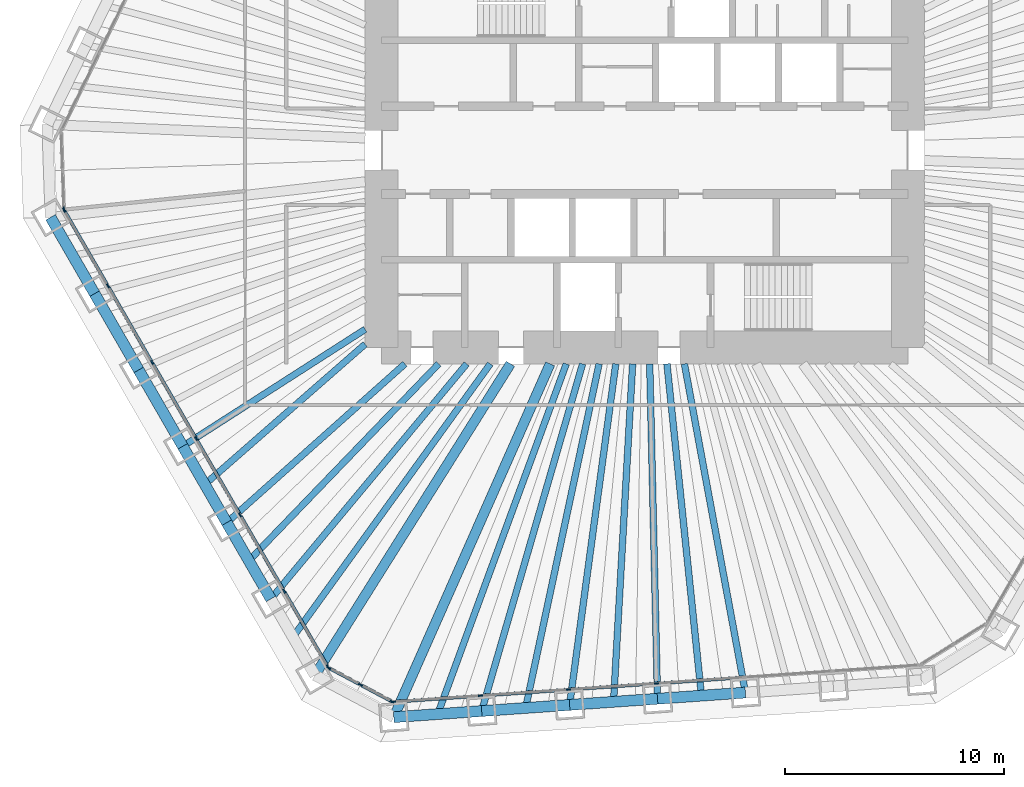
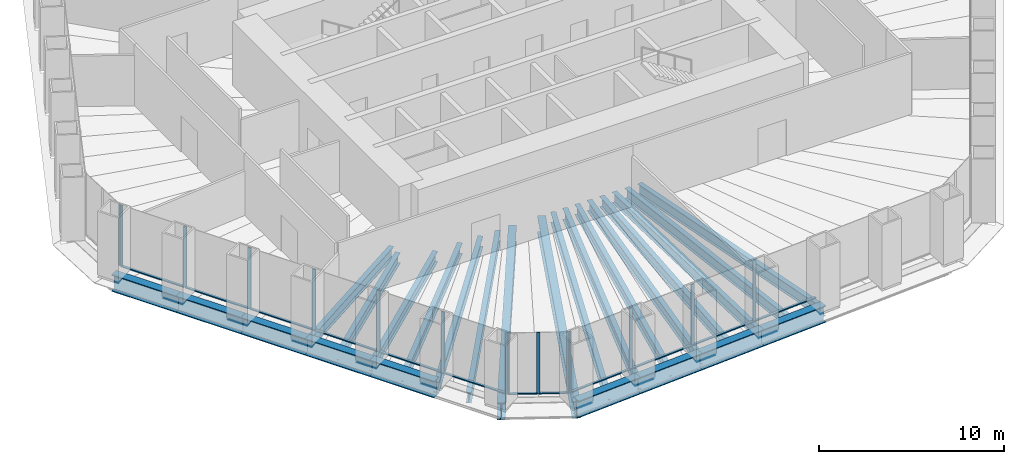
# One storey, part 2 of 13: 27 members, 25 beams, 4 elements without a shape of their own.
"""IFC4 building model written with IfcOpenShell, lengths in metres."""

from ifc_helpers import new_model, si_unit, direction, frame, origin, origin_2d, place, context, subcontext, project, spatial, rectangle, i_section, extrude, material, material_profile, profile_set, type_object, element, aggregate, save


model = new_model("IFC4")

# Units and contexts
model_context = context("Model", 3, precision=1e-05, world=origin(), true_north=direction((0.0, 1.0)))
body_context = subcontext(model_context, "Body", "Model", "MODEL_VIEW")
ifc_project = project(units=[si_unit("LENGTHUNIT", "METRE"), si_unit("AREAUNIT", "SQUARE_METRE"), si_unit("VOLUMEUNIT", "CUBIC_METRE"), si_unit("PLANEANGLEUNIT", "RADIAN"), si_unit("MASSUNIT", "GRAM", prefix="KILO")], contexts=[model_context])

# Site, building, storey
site_placement = place(None, origin())
site = spatial("IfcSite", under=ifc_project, at=site_placement, CompositionType="ELEMENT")
building_placement = place(site_placement, origin())
building = spatial("IfcBuilding", under=site, at=building_placement, Name="Qingtian Harvest Tower", CompositionType="ELEMENT")
storey_placement = place(building_placement, frame((0.0, 0.0, 140.800048828125)))
storey = spatial("IfcBuildingStorey", under=building, at=storey_placement, Name="L29", CompositionType="ELEMENT", Elevation=140.800048828125)

# Beams
ifc_material_1 = material(Name="Steel SM570MC", Category="steel")
ifc_material_profile_1 = material_profile(ifc_material_1, i_section(OverallWidth=0.449951171875, OverallDepth=1.10009765625, WebThickness=0.02197265625, FlangeThickness=0.044921875, at=origin_2d()), Name="H1100x450x22x45")
ifc_profile_set_1 = profile_set([ifc_material_profile_1], Name="Steel SM570MC")
beam_type_1 = type_object("IfcBeamType", Name="Corner floor beam FB8 H1100x450x22x45", PredefinedType="BEAM", material=ifc_profile_set_1)
beam_1_placement = place(storey_placement, frame((-11.445556640625, -25.861328125, -0.719970703125), z_axis=(0.404705702755, 0.914446988161, 0.0), x_axis=(-0.914446988161, 0.404705702755, 0.0)))
element("IfcBeam", 1, at=beam_1_placement, inside=storey, type_object=beam_type_1, Name="Floor beam FB8 S6", PredefinedType="BEAM", context=body_context, shape_type="SweptSolid", body=[
    extrude(i_section(OverallWidth=0.449951171875, OverallDepth=1.10009765625, WebThickness=0.02197265625, FlangeThickness=0.044921875, at=origin_2d()), origin(), (0.0, 0.0, 1.0), 17.61865234375),
])
beam_2_placement = place(storey_placement, frame((-15.039794921875, -23.950439453125, -0.719970703125), z_axis=(0.531797274443, 0.846871689747, 0.0), x_axis=(-0.846871689747, 0.531797274443, 0.0)))
element("IfcBeam", 2, at=beam_2_placement, inside=storey, type_object=beam_type_1, Name="Floor beam FB8 SW0", PredefinedType="BEAM", context=body_context, shape_type="SweptSolid", body=[
    extrude(i_section(OverallWidth=0.449951171875, OverallDepth=1.10009765625, WebThickness=0.02197265625, FlangeThickness=0.044921875, at=origin_2d()), origin(), (0.0, 0.0, 1.0), 16.76806640625),
])
ifc_material_2 = material(Name="Steel SN490B", Category="steel")
ifc_material_profile_2 = material_profile(ifc_material_2, i_section(OverallWidth=0.300048828125, OverallDepth=0.75, WebThickness=0.013916015625, FlangeThickness=0.02490234375, at=origin_2d()), Name="H750x300x14x25")
ifc_profile_set_2 = profile_set([ifc_material_profile_2], Name="Steel SN490B")
beam_type_2 = type_object("IfcBeamType", Name="Floor beam FB12 H750x300x14x25", PredefinedType="BEAM", material=ifc_profile_set_2)
beam_3_placement = place(storey_placement, frame((-7.436279296875, -25.5810546875, -0.545166015625), z_axis=(0.279142362954, 0.960249728562, 0.0), x_axis=(-0.960249728562, 0.279142362954, 0.0)))
element("IfcBeam", 3, at=beam_3_placement, inside=storey, type_object=beam_type_2, Name="Floor beam FB12 S5", PredefinedType="BEAM", context=body_context, shape_type="SweptSolid", body=[
    extrude(i_section(OverallWidth=0.300048828125, OverallDepth=0.75, WebThickness=0.013916015625, FlangeThickness=0.02490234375, at=origin_2d()), origin(), (0.0, 0.0, 1.0), 16.486328125),
])
ifc_material_3 = material(Name="Steel SN490B", Category="steel")
ifc_material_profile_3 = material_profile(ifc_material_3, i_section(OverallWidth=0.300048828125, OverallDepth=0.699951171875, WebThickness=0.012939453125, FlangeThickness=0.02392578125, at=origin_2d()), Name="H700x300x13x24")
ifc_profile_set_3 = profile_set([ifc_material_profile_3], Name="Steel SN490B")
beam_type_3 = type_object("IfcBeamType", Name="Floor beam FB2 H700x300x13x24", PredefinedType="BEAM", material=ifc_profile_set_3)
beam_4_placement = place(storey_placement, frame((4.591552734375, -24.739990234375, -0.52001953125), z_axis=(-0.182473442032, 0.983210782565, 0.0), x_axis=(-0.983210782565, -0.182473442032, 0.0)))
element("IfcBeam", 4, at=beam_4_placement, inside=storey, type_object=beam_type_3, Name="Floor beam FB2 S2", PredefinedType="BEAM", context=body_context, shape_type="SweptSolid", body=[
    extrude(i_section(OverallWidth=0.300048828125, OverallDepth=0.699951171875, WebThickness=0.012939453125, FlangeThickness=0.02392578125, at=origin_2d()), origin(), (0.0, 0.0, 1.0), 15.245849609375),
])
beam_5_placement = place(storey_placement, frame((0.582275390625, -25.020263671875, -0.52001953125), z_axis=(-0.023272189962, 0.999729165912, 0.0), x_axis=(-0.999729165912, -0.023272189962, 0.0)))
element("IfcBeam", 5, at=beam_5_placement, inside=storey, type_object=beam_type_3, Name="Floor beam FB2 S3", PredefinedType="BEAM", context=body_context, shape_type="SweptSolid", body=[
    extrude(i_section(OverallWidth=0.300048828125, OverallDepth=0.699951171875, WebThickness=0.012939453125, FlangeThickness=0.02392578125, at=origin_2d()), origin(), (0.0, 0.0, 1.0), 15.2744140625),
])
beam_6_placement = place(storey_placement, frame((-3.427001953125, -25.30078125, -0.52001953125), z_axis=(0.134230066005, 0.990950195207, 0.0), x_axis=(-0.990950195207, 0.134230066005, 0.0)))
element("IfcBeam", 6, at=beam_6_placement, inside=storey, type_object=beam_type_3, Name="Floor beam FB2 S4", PredefinedType="BEAM", context=body_context, shape_type="SweptSolid", body=[
    extrude(i_section(OverallWidth=0.300048828125, OverallDepth=0.699951171875, WebThickness=0.012939453125, FlangeThickness=0.02392578125, at=origin_2d()), origin(), (0.0, 0.0, 1.0), 15.69287109375),
])
beam_7_placement = place(storey_placement, frame((-17.04931640625, -20.4697265625, -0.52001953125), z_axis=(0.639988150605, 0.768384778015, 0.0), x_axis=(-0.768384778015, 0.639988150605, 0.0)))
element("IfcBeam", 7, at=beam_7_placement, inside=storey, type_object=beam_type_3, Name="Floor beam FB2 SW1", PredefinedType="BEAM", context=body_context, shape_type="SweptSolid", body=[
    extrude(i_section(OverallWidth=0.300048828125, OverallDepth=0.699951171875, WebThickness=0.012939453125, FlangeThickness=0.02392578125, at=origin_2d()), origin(), (0.0, 0.0, 1.0), 13.950927734375),
])
beam_8_placement = place(storey_placement, frame((-19.058837890625, -16.989013671875, -0.52001953125), z_axis=(0.746483707908, 0.665403692376, 0.0), x_axis=(-0.665403692376, 0.746483707908, 0.0)))
element("IfcBeam", 8, at=beam_8_placement, inside=storey, type_object=beam_type_3, Name="Floor beam FB2 SW2", PredefinedType="BEAM", context=body_context, shape_type="SweptSolid", body=[
    extrude(i_section(OverallWidth=0.300048828125, OverallDepth=0.699951171875, WebThickness=0.012939453125, FlangeThickness=0.02392578125, at=origin_2d()), origin(), (0.0, 0.0, 1.0), 10.879150390625),
])
beam_9_placement = place(storey_placement, frame((-21.068359375, -13.508544921875, -0.52001953125), z_axis=(0.841823295753, 0.539753220211, 0.0), x_axis=(-0.539753220211, 0.841823295753, 0.0)))
element("IfcBeam", 9, at=beam_9_placement, inside=storey, type_object=beam_type_3, Name="Floor beam FB2 SW3", PredefinedType="BEAM", context=body_context, shape_type="SweptSolid", body=[
    extrude(i_section(OverallWidth=0.300048828125, OverallDepth=0.699951171875, WebThickness=0.012939453125, FlangeThickness=0.02392578125, at=origin_2d()), origin(), (0.0, 0.0, 1.0), 9.88134765625),
])
ifc_material_4 = material(Name="Steel SN490B", Category="steel")
ifc_material_profile_4 = material_profile(ifc_material_4, i_section(OverallWidth=0.300048828125, OverallDepth=0.699951171875, WebThickness=0.012939453125, FlangeThickness=0.02392578125, at=origin_2d()), Name="H700x300x13x24")
ifc_profile_set_4 = profile_set([ifc_material_profile_4], Name="Steel SN490B")
beam_type_4 = type_object("IfcBeamType", Name="Floor joist J2 H700x300x13x24", PredefinedType="JOIST", material=ifc_profile_set_4)
beam_10_placement = place(storey_placement, frame((2.5869140625, -24.880126953125, -0.52001953125), z_axis=(-0.103423163361, 0.994637446148, 0.0), x_axis=(-0.994637446148, -0.103423163361, 0.0)))
element("IfcBeam", 10, at=beam_10_placement, inside=storey, type_object=beam_type_4, Name="Floor joist J2 S2", PredefinedType="JOIST", context=body_context, shape_type="SweptSolid", body=[
    extrude(i_section(OverallWidth=0.300048828125, OverallDepth=0.699951171875, WebThickness=0.012939453125, FlangeThickness=0.02392578125, at=origin_2d()), origin(), (0.0, 0.0, 1.0), 15.211669921875),
])
beam_11_placement = place(storey_placement, frame((-1.42236328125, -25.160400390625, -0.52001953125), z_axis=(0.05643626267, 0.998406204035, 0.0), x_axis=(-0.998406204035, 0.05643626267, 0.0)))
element("IfcBeam", 11, at=beam_11_placement, inside=storey, type_object=beam_type_4, Name="Floor joist J2 S3", PredefinedType="JOIST", context=body_context, shape_type="SweptSolid", body=[
    extrude(i_section(OverallWidth=0.300048828125, OverallDepth=0.699951171875, WebThickness=0.012939453125, FlangeThickness=0.02392578125, at=origin_2d()), origin(), (0.0, 0.0, 1.0), 15.43505859375),
])
beam_12_placement = place(storey_placement, frame((-5.431640625, -25.44091796875, -0.52001953125), z_axis=(0.208799533611, 0.977958462699, 0.0), x_axis=(-0.977958462699, 0.208799533611, 0.0)))
element("IfcBeam", 12, at=beam_12_placement, inside=storey, type_object=beam_type_4, Name="Floor joist J2 S4", PredefinedType="JOIST", context=body_context, shape_type="SweptSolid", body=[
    extrude(i_section(OverallWidth=0.300048828125, OverallDepth=0.699951171875, WebThickness=0.012939453125, FlangeThickness=0.02392578125, at=origin_2d()), origin(), (0.0, 0.0, 1.0), 16.044677734375),
])
beam_13_placement = place(storey_placement, frame((-9.44091796875, -25.72119140625, -0.52001953125), z_axis=(0.344563279886, 0.938763093732, 0.0), x_axis=(-0.938763093732, 0.344563279886, 0.0)))
element("IfcBeam", 13, at=beam_13_placement, inside=storey, type_object=beam_type_4, Name="Floor joist J2 S5", PredefinedType="JOIST", context=body_context, shape_type="SweptSolid", body=[
    extrude(i_section(OverallWidth=0.300048828125, OverallDepth=0.699951171875, WebThickness=0.012939453125, FlangeThickness=0.02392578125, at=origin_2d()), origin(), (0.0, 0.0, 1.0), 17.012939453125),
])
beam_14_placement = place(storey_placement, frame((-16.04443359375, -22.2099609375, -0.52001953125), z_axis=(0.585581016658, 0.810613886465, 0.0), x_axis=(-0.810613886465, 0.585581016658, 0.0)))
element("IfcBeam", 14, at=beam_14_placement, inside=storey, type_object=beam_type_4, Name="Floor joist J2 SW0", PredefinedType="JOIST", context=body_context, shape_type="SweptSolid", body=[
    extrude(i_section(OverallWidth=0.300048828125, OverallDepth=0.699951171875, WebThickness=0.012939453125, FlangeThickness=0.02392578125, at=origin_2d()), origin(), (0.0, 0.0, 1.0), 15.37109375),
])
beam_15_placement = place(storey_placement, frame((-18.053955078125, -18.7294921875, -0.52001953125), z_axis=(0.693999346894, 0.719975629108, 0.0), x_axis=(-0.719975629108, 0.693999346894, 0.0)))
element("IfcBeam", 15, at=beam_15_placement, inside=storey, type_object=beam_type_4, Name="Floor joist J2 SW1", PredefinedType="JOIST", context=body_context, shape_type="SweptSolid", body=[
    extrude(i_section(OverallWidth=0.300048828125, OverallDepth=0.699951171875, WebThickness=0.012939453125, FlangeThickness=0.02392578125, at=origin_2d()), origin(), (0.0, 0.0, 1.0), 12.471923828125),
])
beam_16_placement = place(storey_placement, frame((-20.063720703125, -15.248779296875, -0.52001953125), z_axis=(0.752618713562, 0.658456583228, 0.0), x_axis=(-0.658456583228, 0.752618713562, 0.0)))
element("IfcBeam", 16, at=beam_16_placement, inside=storey, type_object=beam_type_4, Name="Floor joist J2 SW2", PredefinedType="JOIST", context=body_context, shape_type="SweptSolid", body=[
    extrude(i_section(OverallWidth=0.300048828125, OverallDepth=0.699951171875, WebThickness=0.012939453125, FlangeThickness=0.02392578125, at=origin_2d()), origin(), (0.0, 0.0, 1.0), 9.7177734375),
])

# Curtain wall, members
ifc_material_5 = material(Name="Bronze-anodised aluminium curtain wall", Category="aluminium")
curtain_wall_type = type_object("IfcCurtainWallType", Name="Curtain wall CW4 office", PredefinedType="USERDEFINED", material=ifc_material_5)
curtain_wall_1_placement = place(storey_placement, origin())
curtain_wall_1 = element("IfcCurtainWall", 17, at=curtain_wall_1_placement, inside=storey, type_object=curtain_wall_type, Name="Curtain wall CW4 L29 S0-5", ObjectType="RECESSED CURTAIN WALL", PredefinedType="USERDEFINED")
ifc_material_6 = material(Name="Bronze-anodised aluminium mullion", Category="aluminium")
ifc_material_profile_5 = material_profile(ifc_material_6, rectangle(XDim=0.06494140625, YDim=0.199951171875, at=origin_2d()), Name="AL 65x200")
ifc_profile_set_5 = profile_set([ifc_material_profile_5], Name="Bronze-anodised aluminium mullion")
member_type_1 = type_object("IfcMemberType", Name="Mullion CWM 65x200", PredefinedType="MULLION", material=ifc_profile_set_5)
member_1_placement = place(storey_placement, frame((0.533447265625, -24.322021484375, 0.0), z_axis=(0.0, 0.0, 1.0), x_axis=(0.069756473744, -0.99756405026, 0.0)))
member_1 = element("IfcMember", 18, at=member_1_placement, type_object=member_type_1, Name="CW4 mullion 4", PredefinedType="MULLION", context=body_context, shape_type="SweptSolid", body=[
    extrude(rectangle(XDim=0.06494140625, YDim=0.199951171875, at=origin_2d()), origin(), (0.0, 0.0, 1.0), 4.030029296875),
])
member_2_placement = place(storey_placement, frame((-3.475830078125, -24.602294921875, 0.0), z_axis=(0.0, 0.0, 1.0), x_axis=(0.069756473744, -0.99756405026, 0.0)))
member_2 = element("IfcMember", 19, at=member_2_placement, type_object=member_type_1, Name="CW4 mullion 5", PredefinedType="MULLION", context=body_context, shape_type="SweptSolid", body=[
    extrude(rectangle(XDim=0.06494140625, YDim=0.199951171875, at=origin_2d()), origin(), (0.0, 0.0, 1.0), 4.030029296875),
])
member_3_placement = place(storey_placement, frame((-7.485107421875, -24.8828125, 0.0), z_axis=(0.0, 0.0, 1.0), x_axis=(0.069756473744, -0.99756405026, 0.0)))
member_3 = element("IfcMember", 20, at=member_3_placement, type_object=member_type_1, Name="CW4 mullion 6", PredefinedType="MULLION", context=body_context, shape_type="SweptSolid", body=[
    extrude(rectangle(XDim=0.06494140625, YDim=0.199951171875, at=origin_2d()), origin(), (0.0, 0.0, 1.0), 4.030029296875),
])
member_4_placement = place(storey_placement, frame((-11.4619140625, -25.160888671875, 0.0), z_axis=(0.0, 0.0, 1.0), x_axis=(0.069756473744, -0.99756405026, 0.0)))
member_4 = element("IfcMember", 21, at=member_4_placement, type_object=member_type_1, Name="CW4 mullion 7", PredefinedType="MULLION", context=body_context, shape_type="SweptSolid", body=[
    extrude(rectangle(XDim=0.06494140625, YDim=0.199951171875, at=origin_2d()), origin(), (0.0, 0.0, 1.0), 4.030029296875),
])

curtain_wall_2_placement = place(storey_placement, origin())
curtain_wall_2 = element("IfcCurtainWall", 22, at=curtain_wall_2_placement, inside=storey, type_object=curtain_wall_type, Name="Curtain wall CW4 L29 SC", ObjectType="RECESSED CURTAIN WALL", PredefinedType="USERDEFINED")
member_5_placement = place(storey_placement, frame((-11.523193359375, -25.14794921875, 0.0), z_axis=(0.0, 0.0, 1.0), x_axis=(-0.469471562786, -0.882947592859, 0.0)))
member_5 = element("IfcMember", 23, at=member_5_placement, type_object=member_type_1, Name="CW4 mullion 1", PredefinedType="MULLION", context=body_context, shape_type="SweptSolid", body=[
    extrude(rectangle(XDim=0.06494140625, YDim=0.199951171875, at=origin_2d()), origin(), (0.0, 0.0, 1.0), 4.030029296875),
])
member_6_placement = place(storey_placement, frame((-12.964111328125, -24.3818359375, 0.0), z_axis=(0.0, 0.0, 1.0), x_axis=(-0.469471562786, -0.882947592859, 0.0)))
member_6 = element("IfcMember", 24, at=member_6_placement, type_object=member_type_1, Name="CW4 mullion 2", PredefinedType="MULLION", context=body_context, shape_type="SweptSolid", body=[
    extrude(rectangle(XDim=0.06494140625, YDim=0.199951171875, at=origin_2d()), origin(), (0.0, 0.0, 1.0), 4.030029296875),
])
member_7_placement = place(storey_placement, frame((-14.40478515625, -23.61572265625, 0.0), z_axis=(0.0, 0.0, 1.0), x_axis=(-0.469471562786, -0.882947592859, 0.0)))
member_7 = element("IfcMember", 25, at=member_7_placement, type_object=member_type_1, Name="CW4 mullion 3", PredefinedType="MULLION", context=body_context, shape_type="SweptSolid", body=[
    extrude(rectangle(XDim=0.06494140625, YDim=0.199951171875, at=origin_2d()), origin(), (0.0, 0.0, 1.0), 4.030029296875),
])

curtain_wall_3_placement = place(storey_placement, origin())
curtain_wall_3 = element("IfcCurtainWall", 26, at=curtain_wall_3_placement, inside=storey, type_object=curtain_wall_type, Name="Curtain wall CW4 L29 SW0-5", ObjectType="RECESSED CURTAIN WALL", PredefinedType="USERDEFINED")
member_8_placement = place(storey_placement, frame((-14.44970703125, -23.572265625, 0.0), z_axis=(0.0, 0.0, 1.0), x_axis=(-0.866025403784, -0.5, 0.0)))
member_8 = element("IfcMember", 27, at=member_8_placement, type_object=member_type_1, Name="CW4 mullion 1", PredefinedType="MULLION", context=body_context, shape_type="SweptSolid", body=[
    extrude(rectangle(XDim=0.06494140625, YDim=0.199951171875, at=origin_2d()), origin(), (0.0, 0.0, 1.0), 4.030029296875),
])
member_9_placement = place(storey_placement, frame((-16.443115234375, -20.11962890625, 0.0), z_axis=(0.0, 0.0, 1.0), x_axis=(-0.866025403784, -0.5, 0.0)))
member_9 = element("IfcMember", 28, at=member_9_placement, type_object=member_type_1, Name="CW4 mullion 2", PredefinedType="MULLION", context=body_context, shape_type="SweptSolid", body=[
    extrude(rectangle(XDim=0.06494140625, YDim=0.199951171875, at=origin_2d()), origin(), (0.0, 0.0, 1.0), 4.030029296875),
])
member_10_placement = place(storey_placement, frame((-18.45263671875, -16.63916015625, 0.0), z_axis=(0.0, 0.0, 1.0), x_axis=(-0.866025403784, -0.5, 0.0)))
member_10 = element("IfcMember", 29, at=member_10_placement, type_object=member_type_1, Name="CW4 mullion 3", PredefinedType="MULLION", context=body_context, shape_type="SweptSolid", body=[
    extrude(rectangle(XDim=0.06494140625, YDim=0.199951171875, at=origin_2d()), origin(), (0.0, 0.0, 1.0), 4.030029296875),
])
member_11_placement = place(storey_placement, frame((-20.462158203125, -13.158447265625, 0.0), z_axis=(0.0, 0.0, 1.0), x_axis=(-0.866025403784, -0.5, 0.0)))
member_11 = element("IfcMember", 30, at=member_11_placement, type_object=member_type_1, Name="CW4 mullion 4", PredefinedType="MULLION", context=body_context, shape_type="SweptSolid", body=[
    extrude(rectangle(XDim=0.06494140625, YDim=0.199951171875, at=origin_2d()), origin(), (0.0, 0.0, 1.0), 4.030029296875),
])
member_12_placement = place(storey_placement, frame((-22.4716796875, -9.677978515625, 0.0), z_axis=(0.0, 0.0, 1.0), x_axis=(-0.866025403784, -0.5, 0.0)))
member_12 = element("IfcMember", 31, at=member_12_placement, type_object=member_type_1, Name="CW4 mullion 5", PredefinedType="MULLION", context=body_context, shape_type="SweptSolid", body=[
    extrude(rectangle(XDim=0.06494140625, YDim=0.199951171875, at=origin_2d()), origin(), (0.0, 0.0, 1.0), 4.030029296875),
])
member_13_placement = place(storey_placement, frame((-24.481201171875, -6.197265625, 0.0), z_axis=(0.0, 0.0, 1.0), x_axis=(-0.866025403784, -0.5, 0.0)))
member_13 = element("IfcMember", 32, at=member_13_placement, type_object=member_type_1, Name="CW4 mullion 6", PredefinedType="MULLION", context=body_context, shape_type="SweptSolid", body=[
    extrude(rectangle(XDim=0.06494140625, YDim=0.199951171875, at=origin_2d()), origin(), (0.0, 0.0, 1.0), 4.030029296875),
])
member_14_placement = place(storey_placement, frame((-26.474609375, -2.744873046875, 0.0), z_axis=(0.0, 0.0, 1.0), x_axis=(-0.866025403784, -0.5, 0.0)))
member_14 = element("IfcMember", 33, at=member_14_placement, type_object=member_type_1, Name="CW4 mullion 7", PredefinedType="MULLION", context=body_context, shape_type="SweptSolid", body=[
    extrude(rectangle(XDim=0.06494140625, YDim=0.199951171875, at=origin_2d()), origin(), (0.0, 0.0, 1.0), 4.030029296875),
])

# Curtain wall, member
curtain_wall_4_placement = place(storey_placement, origin())
curtain_wall_4 = element("IfcCurtainWall", 34, at=curtain_wall_4_placement, inside=storey, type_object=curtain_wall_type, Name="Curtain wall CW4 L29 SWC", ObjectType="RECESSED CURTAIN WALL", PredefinedType="USERDEFINED")
member_15_placement = place(storey_placement, frame((-26.491943359375, -2.68408203125, 0.0), z_axis=(0.0, 0.0, 1.0), x_axis=(-0.999390827019, -0.034899496703, 0.0)))
member_15 = element("IfcMember", 35, at=member_15_placement, type_object=member_type_1, Name="CW4 mullion 1", PredefinedType="MULLION", context=body_context, shape_type="SweptSolid", body=[
    extrude(rectangle(XDim=0.06494140625, YDim=0.199951171875, at=origin_2d()), origin(), (0.0, 0.0, 1.0), 4.030029296875),
])
aggregate(curtain_wall_4, [member_15])

# Beams
ifc_material_7 = material(Name="Steel SM570MC", Category="steel")
ifc_material_profile_6 = material_profile(ifc_material_7, i_section(OverallWidth=0.5, OverallDepth=1.10009765625, WebThickness=0.02490234375, FlangeThickness=0.050048828125, at=origin_2d()), Name="H1100x500x25x50")
ifc_profile_set_6 = profile_set([ifc_material_profile_6], Name="Steel SM570MC")
beam_type_5 = type_object("IfcBeamType", Name="Spandrel beam SB2 H1100x500x25x50", PredefinedType="SPANDREL", material=ifc_profile_set_6)
for number, where, z_axis, x_axis, name in (
    (36, (4.591552734375, -24.739990234375, -0.550048828125), (-0.997565479251, -0.069736035208, 0.0), (0.069736035208, -0.997565479251, 0.0), "Spandrel SB2 S2"),
    (37, (0.582275390625, -25.020263671875, -0.550048828125), (-0.997561251588, -0.069796485086, 0.0), (0.069796485086, -0.997561251588, 0.0), "Spandrel SB2 S3"),
    (38, (-3.427001953125, -25.30078125, -0.550048828125), (-0.997565479251, -0.069736035208, 0.0), (0.069736035208, -0.997565479251, 0.0), "Spandrel SB2 S4"),
    (39, (-7.436279296875, -25.5810546875, -0.550048828125), (-0.997565479251, -0.069736035208, 0.0), (0.069736035208, -0.997565479251, 0.0), "Spandrel SB2 S5"),
    (40, (-17.04931640625, -20.4697265625, -0.550048828125), (-0.499987116613, 0.866032841884, 0.0), (-0.866032841884, -0.499987116613, 0.0), "Spandrel SB2 SW1"),
    (41, (-19.058837890625, -16.989013671875, -0.550048828125), (-0.500013420409, 0.866017655369, 0.0), (-0.866017655369, -0.500013420409, 0.0), "Spandrel SB2 SW2"),
    (42, (-21.068359375, -13.508544921875, -0.550048828125), (-0.499987116613, 0.866032841884, 0.0), (-0.866032841884, -0.499987116613, 0.0), "Spandrel SB2 SW3"),
    (43, (-23.077880859375, -10.02783203125, -0.550048828125), (-0.499987116613, 0.866032841884, 0.0), (-0.866032841884, -0.499987116613, 0.0), "Spandrel SB2 SW4"),
    (44, (-25.08740234375, -6.547119140625, -0.550048828125), (-0.500013420409, 0.866017655369, 0.0), (-0.866017655369, -0.500013420409, 0.0), "Spandrel SB2 SW5"),
):
    element("IfcBeam", number, at=place(storey_placement, frame(where, z_axis=z_axis, x_axis=x_axis)), inside=storey, type_object=beam_type_5, Name=name, PredefinedType="SPANDREL", context=body_context, shape_type="SweptSolid", body=[
        extrude(i_section(OverallWidth=0.5, OverallDepth=1.10009765625, WebThickness=0.02490234375, FlangeThickness=0.050048828125, at=origin_2d()), origin(), (0.0, 0.0, 1.0), 4.01904296875),
    ])

# Member
ifc_material_8 = material(Name="Bronze-anodised aluminium transom", Category="aluminium")
ifc_material_profile_7 = material_profile(ifc_material_8, rectangle(XDim=0.14990234375, YDim=0.06494140625, at=origin_2d()), Name="AL 65x150")
ifc_profile_set_7 = profile_set([ifc_material_profile_7], Name="Bronze-anodised aluminium transom")
member_type_2 = type_object("IfcMemberType", Name="Transom CWT 65x150", PredefinedType="USERDEFINED", material=ifc_profile_set_7)
member_16_placement = place(storey_placement, frame((4.51025390625, -24.0439453125, 0.032470703125), z_axis=(-0.997562922571, -0.069772598571, 0.0), x_axis=(0.069772598571, -0.997562922571, 0.0)))
member_16 = element("IfcMember", 45, at=member_16_placement, type_object=member_type_2, Name="CW4 transom 3.1", ObjectType="TRANSOM", PredefinedType="USERDEFINED", context=body_context, shape_type="SweptSolid", body=[
    extrude(rectangle(XDim=0.14990234375, YDim=0.06494140625, at=origin_2d()), origin(), (0.0, 0.0, 1.0), 3.953857421875),
])

member_17_placement = place(storey_placement, frame((0.5009765625, -24.32421875, 0.032470703125), z_axis=(-0.997562922571, -0.069772598571, 0.0), x_axis=(0.069772598571, -0.997562922571, 0.0)))
member_17 = element("IfcMember", 46, at=member_17_placement, type_object=member_type_2, Name="CW4 transom 4.1", ObjectType="TRANSOM", PredefinedType="USERDEFINED", context=body_context, shape_type="SweptSolid", body=[
    extrude(rectangle(XDim=0.14990234375, YDim=0.06494140625, at=origin_2d()), origin(), (0.0, 0.0, 1.0), 3.953857421875),
])

member_18_placement = place(storey_placement, frame((-3.50830078125, -24.604736328125, 0.032470703125), z_axis=(-0.997567218353, -0.069711153102, 0.0), x_axis=(0.069711153102, -0.997567218353, 0.0)))
member_18 = element("IfcMember", 47, at=member_18_placement, type_object=member_type_2, Name="CW4 transom 5.1", ObjectType="TRANSOM", PredefinedType="USERDEFINED", context=body_context, shape_type="SweptSolid", body=[
    extrude(rectangle(XDim=0.14990234375, YDim=0.06494140625, at=origin_2d()), origin(), (0.0, 0.0, 1.0), 3.953857421875),
])

member_19_placement = place(storey_placement, frame((-7.517578125, -24.885009765625, 0.032470703125), z_axis=(-0.997561915105, -0.069787001175, 0.0), x_axis=(0.069787001175, -0.997561915105, 0.0)))
member_19 = element("IfcMember", 48, at=member_19_placement, type_object=member_type_2, Name="CW4 transom 6.1", ObjectType="TRANSOM", PredefinedType="USERDEFINED", context=body_context, shape_type="SweptSolid", body=[
    extrude(rectangle(XDim=0.14990234375, YDim=0.06494140625, at=origin_2d()), origin(), (0.0, 0.0, 1.0), 3.921630859375),
])

aggregate(curtain_wall_1, [member_1, member_2, member_3, member_4, member_16, member_17, member_18, member_19])

member_20_placement = place(storey_placement, frame((-11.5517578125, -25.132568359375, 0.032470703125), z_axis=(-0.882960338349, 0.46944759122, 0.0), x_axis=(-0.46944759122, -0.882960338349, 0.0)))
member_20 = element("IfcMember", 49, at=member_20_placement, type_object=member_type_2, Name="CW4 transom 1.1", ObjectType="TRANSOM", PredefinedType="USERDEFINED", context=body_context, shape_type="SweptSolid", body=[
    extrude(rectangle(XDim=0.14990234375, YDim=0.06494140625, at=origin_2d()), origin(), (0.0, 0.0, 1.0), 1.56689453125),
])

member_21_placement = place(storey_placement, frame((-12.99267578125, -24.366455078125, 0.032470703125), z_axis=(-0.882960338349, 0.46944759122, 0.0), x_axis=(-0.46944759122, -0.882960338349, 0.0)))
member_21 = element("IfcMember", 50, at=member_21_placement, type_object=member_type_2, Name="CW4 transom 2.1", ObjectType="TRANSOM", PredefinedType="USERDEFINED", context=body_context, shape_type="SweptSolid", body=[
    extrude(rectangle(XDim=0.14990234375, YDim=0.06494140625, at=origin_2d()), origin(), (0.0, 0.0, 1.0), 1.56689453125),
])

aggregate(curtain_wall_2, [member_5, member_6, member_7, member_20, member_21])

member_22_placement = place(storey_placement, frame((-14.466064453125, -23.5439453125, 0.032470703125), z_axis=(-0.500002696854, 0.866023846749, 0.0), x_axis=(-0.866023846749, -0.500002696854, 0.0)))
member_22 = element("IfcMember", 51, at=member_22_placement, type_object=member_type_2, Name="CW4 transom 1.1", ObjectType="TRANSOM", PredefinedType="USERDEFINED", context=body_context, shape_type="SweptSolid", body=[
    extrude(rectangle(XDim=0.14990234375, YDim=0.06494140625, at=origin_2d()), origin(), (0.0, 0.0, 1.0), 3.92138671875),
])

member_23_placement = place(storey_placement, frame((-16.459228515625, -20.091552734375, 0.032470703125), z_axis=(-0.500003941941, 0.866023127892, 0.0), x_axis=(-0.866023127892, -0.500003941941, 0.0)))
member_23 = element("IfcMember", 52, at=member_23_placement, type_object=member_type_2, Name="CW4 transom 2.1", ObjectType="TRANSOM", PredefinedType="USERDEFINED", context=body_context, shape_type="SweptSolid", body=[
    extrude(rectangle(XDim=0.14990234375, YDim=0.06494140625, at=origin_2d()), origin(), (0.0, 0.0, 1.0), 3.9541015625),
])

member_24_placement = place(storey_placement, frame((-18.468994140625, -16.611083984375, 0.032470703125), z_axis=(-0.49993089783, 0.866065296265, 0.0), x_axis=(-0.866065296265, -0.49993089783, 0.0)))
member_24 = element("IfcMember", 53, at=member_24_placement, type_object=member_type_2, Name="CW4 transom 3.1", ObjectType="TRANSOM", PredefinedType="USERDEFINED", context=body_context, shape_type="SweptSolid", body=[
    extrude(rectangle(XDim=0.14990234375, YDim=0.06494140625, at=origin_2d()), origin(), (0.0, 0.0, 1.0), 3.9541015625),
])

member_25_placement = place(storey_placement, frame((-20.478515625, -13.13037109375, 0.032470703125), z_axis=(-0.500003941941, 0.866023127892, 0.0), x_axis=(-0.866023127892, -0.500003941941, 0.0)))
member_25 = element("IfcMember", 54, at=member_25_placement, type_object=member_type_2, Name="CW4 transom 4.1", ObjectType="TRANSOM", PredefinedType="USERDEFINED", context=body_context, shape_type="SweptSolid", body=[
    extrude(rectangle(XDim=0.14990234375, YDim=0.06494140625, at=origin_2d()), origin(), (0.0, 0.0, 1.0), 3.9541015625),
])

member_26_placement = place(storey_placement, frame((-22.488037109375, -9.649658203125, 0.032470703125), z_axis=(-0.500003941941, 0.866023127892, 0.0), x_axis=(-0.866023127892, -0.500003941941, 0.0)))
member_26 = element("IfcMember", 55, at=member_26_placement, type_object=member_type_2, Name="CW4 transom 5.1", ObjectType="TRANSOM", PredefinedType="USERDEFINED", context=body_context, shape_type="SweptSolid", body=[
    extrude(rectangle(XDim=0.14990234375, YDim=0.06494140625, at=origin_2d()), origin(), (0.0, 0.0, 1.0), 3.9541015625),
])

member_27_placement = place(storey_placement, frame((-24.49755859375, -6.169189453125, 0.032470703125), z_axis=(-0.499975738995, 0.866039410429, 0.0), x_axis=(-0.866039410429, -0.499975738995, 0.0)))
member_27 = element("IfcMember", 56, at=member_27_placement, type_object=member_type_2, Name="CW4 transom 6.1", ObjectType="TRANSOM", PredefinedType="USERDEFINED", context=body_context, shape_type="SweptSolid", body=[
    extrude(rectangle(XDim=0.14990234375, YDim=0.06494140625, at=origin_2d()), origin(), (0.0, 0.0, 1.0), 3.921630859375),
])

aggregate(curtain_wall_3, [member_8, member_9, member_10, member_11, member_12, member_13, member_14, member_22, member_23, member_24, member_25, member_26, member_27])

save(model, "model.ifc")
